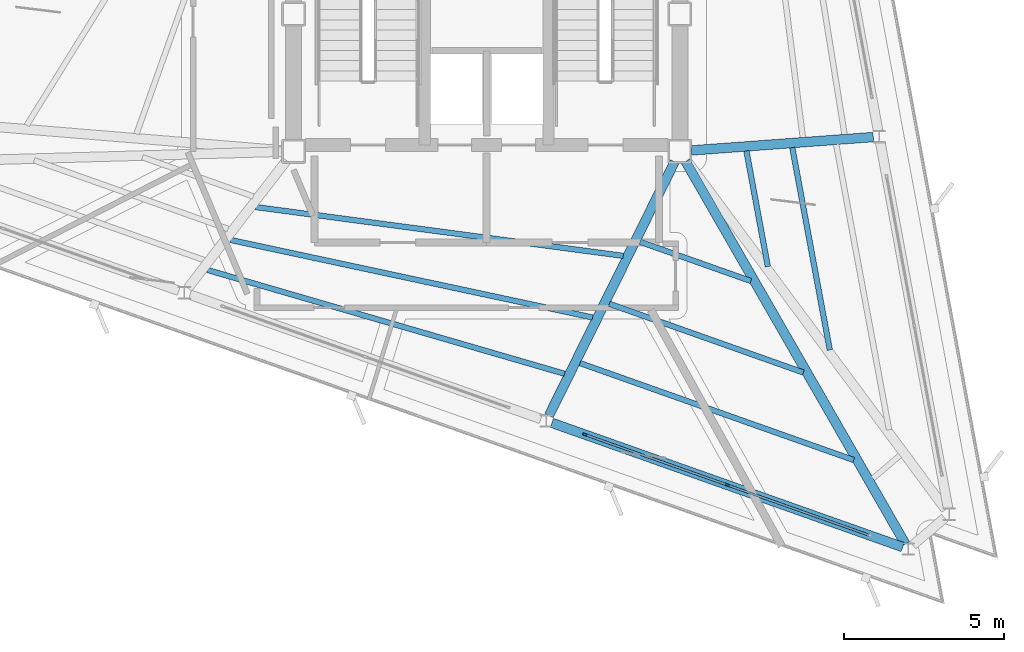
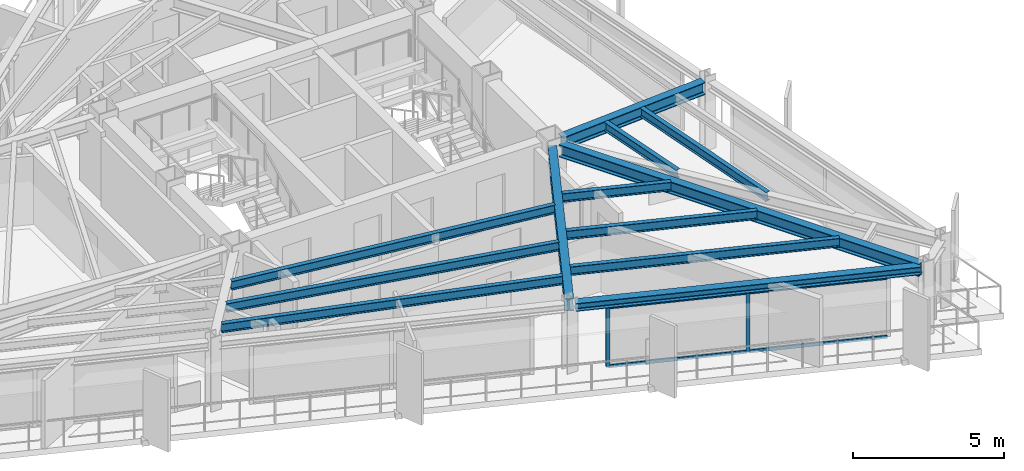
# One storey, part 3 of 14: 12 beams, 6 members, 1 element without a shape of its own.
"""IFC4 building model written with IfcOpenShell, lengths in metres."""

import ifcopenshell
import ifcopenshell.guid

model = None  # the IFC model being written
_history = None  # IfcOwnerHistory: only IFC2X3 demands one
_inside = {}  # id of a spatial element -> (the spatial element, [elements in it])
_under = {}  # id of a project, library or spatial element -> (it, [spatial elements below it])
_declared = {}  # id of a project -> (the project, [libraries it declares])
_typed = {}  # id of a type object -> (the type object, [elements of that type])
_made_of = {}  # id of a material, layer set ... -> (it, [elements and type objects made of it])


def new_model(schema):
    """Start an empty IFC model of exactly this schema.

    Asked for "IFC4X3", IfcOpenShell would pick the latest addendum, in which some entities
    have other attributes; the version numbers below select the first issue.
    IFC2X3 requires an IfcOwnerHistory on every rooted entity: one is made here for all.
    """
    global model, _history
    if schema == "IFC4X3":
        model = ifcopenshell.file(schema_version=(4, 3, 0, 0))
    else:
        model = ifcopenshell.file(schema=schema)
    _inside.clear()
    _under.clear()
    _declared.clear()
    _typed.clear()
    _made_of.clear()
    _history = None
    if model.schema == "IFC2X3":
        org = make("IfcOrganization", Name="unknown")
        user = make(
            "IfcPersonAndOrganization",
            ThePerson=make("IfcPerson", FamilyName="unknown"),
            TheOrganization=org,
        )
        app = make(
            "IfcApplication",
            ApplicationDeveloper=org,
            Version="unknown",
            ApplicationFullName="unknown",
            ApplicationIdentifier="unknown",
        )
        _history = make(
            "IfcOwnerHistory",
            OwningUser=user,
            OwningApplication=app,
            ChangeAction="ADDED",
            CreationDate=0,
        )
    return model


def make(cls, **values):
    """One entity of the class cls with the attributes given. An attribute that is None is left unset."""
    return model.create_entity(
        cls, **{name: value for name, value in values.items() if value is not None}
    )


def rooted(cls, **values):
    """An entity with a GlobalId (a new one), such as an element, a storey or a relation."""
    return make(cls, GlobalId=ifcopenshell.guid.new(), OwnerHistory=_history, **values)


def si_unit(unit_type, name, prefix=None):
    """IfcSIUnit, for example si_unit("LENGTHUNIT", "METRE", prefix="MILLI")."""
    return make("IfcSIUnit", UnitType=unit_type, Prefix=prefix, Name=name)


def assignment(units):
    """IfcUnitAssignment: the units of a project."""
    return None if units is None else make("IfcUnitAssignment", Units=units)


def point(xyz):
    """IfcCartesianPoint."""
    return None if xyz is None else make("IfcCartesianPoint", Coordinates=xyz)


def direction(xyz):
    """IfcDirection."""
    return None if xyz is None else make("IfcDirection", DirectionRatios=xyz)


def frame(location, z_axis=None, x_axis=None):
    """IfcAxis2Placement3D, a coordinate frame: its origin and axes. An axis left out is left unset."""
    return make(
        "IfcAxis2Placement3D",
        Location=point(location),
        Axis=direction(z_axis),
        RefDirection=direction(x_axis),
    )


def frame_2d(location, x_axis=None):
    """IfcAxis2Placement2D, a coordinate frame in the plane: its origin and x axis."""
    return make(
        "IfcAxis2Placement2D", Location=point(location), RefDirection=direction(x_axis)
    )


def origin():
    """The frame at (0, 0, 0) with its axes left unset."""
    return frame((0.0, 0.0, 0.0))


def origin_2d():
    """The frame at (0, 0) in the plane with its x axis left unset."""
    return frame_2d((0.0, 0.0))


def place(relative_to, where):
    """IfcLocalPlacement: puts the frame where relative to a parent placement (None: the world)."""
    return make(
        "IfcLocalPlacement", PlacementRelTo=relative_to, RelativePlacement=where
    )


def context(
    kind, dimensions, precision=None, world=None, true_north=None, identifier=None
):
    """IfcGeometricRepresentationContext, for example the 3D "Model" context."""
    return make(
        "IfcGeometricRepresentationContext",
        ContextIdentifier=identifier,
        ContextType=kind,
        CoordinateSpaceDimension=dimensions,
        Precision=precision,
        WorldCoordinateSystem=world,
        TrueNorth=true_north,
    )


def subcontext(parent, identifier, kind, view, scale=None):
    """IfcGeometricRepresentationSubContext, for example "Body" below "Model"."""
    return make(
        "IfcGeometricRepresentationSubContext",
        ContextIdentifier=identifier,
        ContextType=kind,
        ParentContext=parent,
        TargetScale=scale,
        TargetView=view,
    )


def project(units=None, contexts=None):
    """IfcProject with its units and contexts."""
    return rooted(
        "IfcProject",
        Name="project",
        RepresentationContexts=contexts,
        UnitsInContext=assignment(units),
    )


def spatial(cls, under=None, at=None, **own):
    """A site, building, storey or space (cls), placed at a placement, below another one or the project."""
    s = rooted(cls, ObjectPlacement=at, **own)
    if under is not None:
        _under.setdefault(under.id(), (under, []))[1].append(s)
    return s


def profile(cls, at=None, kind="AREA", **sizes):
    """A parametric profile (cls). Its sizes go by their IFC names, for example OverallWidth=200.0."""
    return make(cls, ProfileType=kind, Position=at, **sizes)


def rectangle(**sizes):
    """IfcRectangleProfileDef."""
    return profile("IfcRectangleProfileDef", **sizes)


def i_section(**sizes):
    """IfcIShapeProfileDef."""
    return profile("IfcIShapeProfileDef", **sizes)


def extrude(swept, where, along, depth):
    """IfcExtrudedAreaSolid: the profile swept, set in the frame where, extruded along a direction by depth."""
    return make(
        "IfcExtrudedAreaSolid",
        SweptArea=swept,
        Position=where,
        ExtrudedDirection=direction(along),
        Depth=depth,
    )


def shape(context_of_items, identifier, shape_type, items):
    """IfcShapeRepresentation: the items that make up one representation, for example the "Body"."""
    return make(
        "IfcShapeRepresentation",
        ContextOfItems=context_of_items,
        RepresentationIdentifier=identifier,
        RepresentationType=shape_type,
        Items=items,
    )


def material(Name=None, Category=None):
    """IfcMaterial."""
    return make("IfcMaterial", Name=Name, Category=Category)


def layer(
    of_material, thickness, ventilated=None, Name=None, Category=None, Priority=None
):
    """IfcMaterialLayer: one layer of a wall or slab, of a material (None: an air gap)."""
    return make(
        "IfcMaterialLayer",
        Material=of_material,
        LayerThickness=thickness,
        IsVentilated=ventilated,
        Name=Name,
        Category=Category,
        Priority=Priority,
    )


def layer_set(layers, Name=None):
    """IfcMaterialLayerSet."""
    return make("IfcMaterialLayerSet", MaterialLayers=layers, LayerSetName=Name)


def material_profile(
    of_material, cross_section, Name=None, Category=None, Priority=None
):
    """IfcMaterialProfile: a cross section and its material."""
    return make(
        "IfcMaterialProfile",
        Name=Name,
        Material=of_material,
        Profile=cross_section,
        Priority=Priority,
        Category=Category,
    )


def profile_set(profiles, Name=None, composite=None):
    """IfcMaterialProfileSet."""
    return make(
        "IfcMaterialProfileSet",
        Name=Name,
        MaterialProfiles=profiles,
        CompositeProfile=composite,
    )


def made_of(thing, what):
    """Note that an element or type object is made of a material, layer set ...; save() writes the relation."""
    if what is not None:
        _made_of.setdefault(what.id(), (what, []))[1].append(thing)
    return thing


def type_object(cls, material=None, **own):
    """A type object (cls), such as IfcWallType, which elements share."""
    return made_of(rooted(cls, **own), material)


def element(
    cls,
    number,
    at=None,
    inside=None,
    cuts=None,
    type_object=None,
    material=None,
    context=None,
    identifier="Body",
    shape_type=None,
    held_by="IfcProductDefinitionShape",
    body=None,
    shapes=None,
    **own,
):
    """One element of the class cls, such as IfcWall. Its Tag is "e" and its number.

    at: its placement. inside: the storey or other place that contains it. cuts: it is an
    opening in that element (IfcRelVoidsElement). A single representation is given by context,
    identifier, shape_type and body (its items); several are given by shapes. held_by: the class
    of the entity that holds the representations. save() writes the other relations.
    """
    e = rooted(cls, Tag="e%d" % number, ObjectPlacement=at, **own)
    if body is not None:
        shapes = [shape(context, identifier, shape_type, body)]
    if shapes is not None:
        e.Representation = make(held_by, Representations=shapes)
    if inside is not None:
        _inside.setdefault(inside.id(), (inside, []))[1].append(e)
    if cuts is not None:
        rooted(
            "IfcRelVoidsElement", RelatingBuildingElement=cuts, RelatedOpeningElement=e
        )
    if type_object is not None:
        _typed.setdefault(type_object.id(), (type_object, []))[1].append(e)
    return made_of(e, material)


def aggregate(whole, parts):
    """IfcRelAggregates: a whole, such as a stair, and the parts it consists of."""
    return rooted("IfcRelAggregates", RelatingObject=whole, RelatedObjects=parts)


def save(model, path):
    """Write the relations noted so far, then the file.

    IfcRelAggregates (storeys below a building ...), IfcRelContainedInSpatialStructure (elements
    in a storey), IfcRelDefinesByType, IfcRelAssociatesMaterial and IfcRelDeclares: one each for
    every whole, place, type object, material and project.
    """
    for whole, parts in _under.values():
        aggregate(whole, parts)
    for where, things in _inside.values():
        rooted(
            "IfcRelContainedInSpatialStructure",
            RelatedElements=things,
            RelatingStructure=where,
        )
    for kind, things in _typed.values():
        rooted("IfcRelDefinesByType", RelatedObjects=things, RelatingType=kind)
    for what, things in _made_of.values():
        rooted("IfcRelAssociatesMaterial", RelatedObjects=things, RelatingMaterial=what)
    for by, libraries in _declared.values():
        rooted("IfcRelDeclares", RelatingContext=by, RelatedDefinitions=libraries)
    model.write(path)


model = new_model("IFC4")

# Units and contexts
model_context = context("Model", 3, precision=1e-05, world=origin(), true_north=direction((0.0, 1.0)))
body_context = subcontext(model_context, "Body", "Model", "MODEL_VIEW")
ifc_project = project(units=[si_unit("LENGTHUNIT", "METRE"), si_unit("AREAUNIT", "SQUARE_METRE"), si_unit("VOLUMEUNIT", "CUBIC_METRE"), si_unit("PLANEANGLEUNIT", "RADIAN"), si_unit("MASSUNIT", "GRAM", prefix="KILO")], contexts=[model_context])

# Site, building, storey
site_placement = place(None, origin())
site = spatial("IfcSite", under=ifc_project, at=site_placement, CompositionType="ELEMENT")
building_placement = place(site_placement, origin())
building = spatial("IfcBuilding", under=site, at=building_placement, Name="Rocaltana Carrier Exchange", CompositionType="ELEMENT")
storey_placement = place(building_placement, frame((0.0, 0.0, 181.43994140625)))
storey = spatial("IfcBuildingStorey", under=building, at=storey_placement, Name="L57", CompositionType="ELEMENT", Elevation=181.43994140625)

# Curtain wall, members
ifc_material_1 = material(Name="Aluminium 6063-T6", Category="aluminium")
ifc_layer = layer(ifc_material_1, 0.135009765625)
ifc_layer_set = layer_set([ifc_layer], Name="Aluminium 6063-T6")
curtain_wall_type = type_object("IfcCurtainWallType", Name="Upper-Mid Acoustic Curtain Wall CW-04", PredefinedType="NOTDEFINED", material=ifc_layer_set)
curtain_wall_placement = place(storey_placement, origin())
curtain_wall = element("IfcCurtainWall", 1, at=curtain_wall_placement, inside=storey, type_object=curtain_wall_type, Name="L57 CW-04 Run CW-L57-F3S3", PredefinedType="NOTDEFINED")
ifc_material_2 = material(Name="Aluminium 6063-T6", Category="aluminium")
ifc_material_profile_1 = material_profile(ifc_material_2, rectangle(XDim=0.06494140625, YDim=0.135009765625, at=origin_2d()), Name="AL-65X135")
ifc_profile_set_1 = profile_set([ifc_material_profile_1], Name="Aluminium 6063-T6")
member_type_1 = type_object("IfcMemberType", Name="CW-04 Mullion AL-65X135", PredefinedType="MULLION", material=ifc_profile_set_1)
member_1_placement = place(storey_placement, frame((3.0771484375, -13.177001953125, 0.0), z_axis=(0.0, 0.0, 1.0), x_axis=(0.333798791936, 0.942644347833, 0.0)))
member_1 = element("IfcMember", 2, at=member_1_placement, type_object=member_type_1, Name="CW-04 mullion 1", PredefinedType="MULLION", context=body_context, shape_type="SweptSolid", body=[
    extrude(rectangle(XDim=0.06494140625, YDim=0.135009765625, at=origin_2d()), origin(), (0.0, 0.0, 1.0), 2.447998046875),
])
member_2_placement = place(storey_placement, frame((7.539794921875, -14.757080078125, 0.0), z_axis=(0.0, 0.0, 1.0), x_axis=(0.333798791936, 0.942644347833, 0.0)))
member_2 = element("IfcMember", 3, at=member_2_placement, type_object=member_type_1, Name="CW-04 mullion 2", PredefinedType="MULLION", context=body_context, shape_type="SweptSolid", body=[
    extrude(rectangle(XDim=0.06494140625, YDim=0.135009765625, at=origin_2d()), origin(), (0.0, 0.0, 1.0), 2.447998046875),
])
ifc_material_3 = material(Name="Aluminium 6063-T6", Category="aluminium")
ifc_material_profile_2 = material_profile(ifc_material_3, rectangle(XDim=0.06494140625, YDim=0.135009765625, at=origin_2d()), Name="AL-65X135")
ifc_profile_set_2 = profile_set([ifc_material_profile_2], Name="Aluminium 6063-T6")
member_type_2 = type_object("IfcMemberType", Name="CW-04 Transom AL-65X135", PredefinedType="USERDEFINED", material=ifc_profile_set_2)
member_3_placement = place(storey_placement, frame((3.107666015625, -13.187744140625, 0.032470703125), z_axis=(0.942642307572, -0.333804553558, 0.0), x_axis=(0.333804553558, 0.942642307572, 0.0)))
member_3 = element("IfcMember", 4, at=member_3_placement, type_object=member_type_2, Name="CW-04 transom 1.1", ObjectType="TRANSOM", PredefinedType="USERDEFINED", context=body_context, shape_type="SweptSolid", body=[
    extrude(rectangle(XDim=0.06494140625, YDim=0.135009765625, at=origin_2d()), origin(), (0.0, 0.0, 1.0), 4.669189453125),
])
member_4_placement = place(storey_placement, frame((3.107666015625, -13.187744140625, 2.41552734375), z_axis=(0.942642307572, -0.333804553558, 0.0), x_axis=(0.333804553558, 0.942642307572, 0.0)))
member_4 = element("IfcMember", 5, at=member_4_placement, type_object=member_type_2, Name="CW-04 transom 1.2", ObjectType="TRANSOM", PredefinedType="USERDEFINED", context=body_context, shape_type="SweptSolid", body=[
    extrude(rectangle(XDim=0.06494140625, YDim=0.135009765625, at=origin_2d()), origin(), (0.0, 0.0, 1.0), 4.669189453125),
])
member_5_placement = place(storey_placement, frame((7.5703125, -14.76806640625, 0.032470703125), z_axis=(0.942642307572, -0.333804553558, 0.0), x_axis=(0.333804553558, 0.942642307572, 0.0)))
member_5 = element("IfcMember", 6, at=member_5_placement, type_object=member_type_2, Name="CW-04 transom 2.1", ObjectType="TRANSOM", PredefinedType="USERDEFINED", context=body_context, shape_type="SweptSolid", body=[
    extrude(rectangle(XDim=0.06494140625, YDim=0.135009765625, at=origin_2d()), origin(), (0.0, 0.0, 1.0), 4.669189453125),
])
member_6_placement = place(storey_placement, frame((7.5703125, -14.76806640625, 2.41552734375), z_axis=(0.942642307572, -0.333804553558, 0.0), x_axis=(0.333804553558, 0.942642307572, 0.0)))
member_6 = element("IfcMember", 7, at=member_6_placement, type_object=member_type_2, Name="CW-04 transom 2.2", ObjectType="TRANSOM", PredefinedType="USERDEFINED", context=body_context, shape_type="SweptSolid", body=[
    extrude(rectangle(XDim=0.06494140625, YDim=0.135009765625, at=origin_2d()), origin(), (0.0, 0.0, 1.0), 4.669189453125),
])
aggregate(curtain_wall, [member_1, member_2, member_3, member_4, member_5, member_6])

# Beams
ifc_material_4 = material(Name="Steel S355", Category="steel")
ifc_material_profile_3 = material_profile(ifc_material_4, i_section(OverallWidth=0.172119140625, OverallDepth=0.35791015625, WebThickness=0.0078125, FlangeThickness=0.01318359375, FilletRadius=0.011962890625, at=origin_2d()), Name="W14X38")
ifc_profile_set_3 = profile_set([ifc_material_profile_3], Name="Steel S355")
beam_type_1 = type_object("IfcBeamType", Name="Floor Joist W14X38", PredefinedType="JOIST", material=ifc_profile_set_3)
beam_1_placement = place(storey_placement, frame((8.809814453125, -7.910888671875, 2.619140625), z_axis=(-0.182226934398, 0.98325649979, 0.0), x_axis=(-0.98325649979, -0.182226934398, 0.0)))
element("IfcBeam", 8, at=beam_1_placement, inside=storey, type_object=beam_type_1, Name="FJ-L57-01-1", PredefinedType="JOIST", context=body_context, shape_type="SweptSolid", body=[
    extrude(i_section(OverallWidth=0.172119140625, OverallDepth=0.35791015625, WebThickness=0.0078125, FlangeThickness=0.01318359375, FilletRadius=0.011962890625, at=origin_2d()), origin(), (0.0, 0.0, 1.0), 3.68310546875),
])
beam_2_placement = place(storey_placement, frame((10.751708984375, -10.5263671875, 2.619140625), z_axis=(-0.18226814906, 0.983248860583, 0.0), x_axis=(-0.983248860583, -0.18226814906, 0.0)))
element("IfcBeam", 9, at=beam_2_placement, inside=storey, type_object=beam_type_1, Name="FJ-L57-01-2", PredefinedType="JOIST", context=body_context, shape_type="SweptSolid", body=[
    extrude(i_section(OverallWidth=0.172119140625, OverallDepth=0.35791015625, WebThickness=0.0078125, FlangeThickness=0.01318359375, FilletRadius=0.011962890625, at=origin_2d()), origin(), (0.0, 0.0, 1.0), 6.450927734375),
])
beam_3_placement = place(storey_placement, frame((-7.242919921875, -6.04736328125, 2.619140625), z_axis=(0.991307721648, -0.131563676599, 0.0), x_axis=(0.131563676599, 0.991307721648, 0.0)))
element("IfcBeam", 10, at=beam_3_placement, inside=storey, type_object=beam_type_1, Name="FJ-L57-10-1", PredefinedType="JOIST", context=body_context, shape_type="SweptSolid", body=[
    extrude(i_section(OverallWidth=0.172119140625, OverallDepth=0.35791015625, WebThickness=0.0078125, FlangeThickness=0.01318359375, FilletRadius=0.011962890625, at=origin_2d()), origin(), (0.0, 0.0, 1.0), 11.620361328125),
])
beam_4_placement = place(storey_placement, frame((-8.03271484375, -7.077880859375, 2.619140625), z_axis=(0.977833801709, -0.209382559528, 0.0), x_axis=(0.209382559528, 0.977833801709, 0.0)))
element("IfcBeam", 11, at=beam_4_placement, inside=storey, type_object=beam_type_1, Name="FJ-L57-10-2", PredefinedType="JOIST", context=body_context, shape_type="SweptSolid", body=[
    extrude(i_section(OverallWidth=0.172119140625, OverallDepth=0.35791015625, WebThickness=0.0078125, FlangeThickness=0.01318359375, FilletRadius=0.011962890625, at=origin_2d()), origin(), (0.0, 0.0, 1.0), 11.6064453125),
])
beam_5_placement = place(storey_placement, frame((-8.75439453125, -8.018798828125, 2.619140625), z_axis=(0.960273483181, -0.279060634091, 0.0), x_axis=(0.279060634091, 0.960273483181, 0.0)))
element("IfcBeam", 12, at=beam_5_placement, inside=storey, type_object=beam_type_1, Name="FJ-L57-10-3", PredefinedType="JOIST", context=body_context, shape_type="SweptSolid", body=[
    extrude(i_section(OverallWidth=0.172119140625, OverallDepth=0.35791015625, WebThickness=0.0078125, FlangeThickness=0.01318359375, FilletRadius=0.011962890625, at=origin_2d()), origin(), (0.0, 0.0, 1.0), 11.658447265625),
])
beam_6_placement = place(storey_placement, frame((4.8056640625, -7.13623046875, 2.619140625), z_axis=(0.942660683234, -0.333752657344, 0.0), x_axis=(0.333752657344, 0.942660683234, 0.0)))
element("IfcBeam", 13, at=beam_6_placement, inside=storey, type_object=beam_type_1, Name="FJ-L57-11-1", PredefinedType="JOIST", context=body_context, shape_type="SweptSolid", body=[
    extrude(i_section(OverallWidth=0.172119140625, OverallDepth=0.35791015625, WebThickness=0.0078125, FlangeThickness=0.01318359375, FilletRadius=0.011962890625, at=origin_2d()), origin(), (0.0, 0.0, 1.0), 3.68310546875),
])
beam_7_placement = place(storey_placement, frame((3.843994140625, -9.079345703125, 2.619140625), z_axis=(0.942637646352, -0.333817716246, 0.0), x_axis=(0.333817716246, 0.942637646352, 0.0)))
element("IfcBeam", 14, at=beam_7_placement, inside=storey, type_object=beam_type_1, Name="FJ-L57-11-2", PredefinedType="JOIST", context=body_context, shape_type="SweptSolid", body=[
    extrude(i_section(OverallWidth=0.172119140625, OverallDepth=0.35791015625, WebThickness=0.0078125, FlangeThickness=0.01318359375, FilletRadius=0.011962890625, at=origin_2d()), origin(), (0.0, 0.0, 1.0), 6.45068359375),
])
beam_8_placement = place(storey_placement, frame((2.923828125, -10.93798828125, 2.619140625), z_axis=(0.942637076776, -0.333819324616, 0.0), x_axis=(0.333819324616, 0.942637076776, 0.0)))
element("IfcBeam", 15, at=beam_8_placement, inside=storey, type_object=beam_type_1, Name="FJ-L57-11-3", PredefinedType="JOIST", context=body_context, shape_type="SweptSolid", body=[
    extrude(i_section(OverallWidth=0.172119140625, OverallDepth=0.35791015625, WebThickness=0.0078125, FlangeThickness=0.01318359375, FilletRadius=0.011962890625, at=origin_2d()), origin(), (0.0, 0.0, 1.0), 9.09814453125),
])
ifc_material_5 = material(Name="Steel S355", Category="steel")
ifc_material_profile_4 = material_profile(ifc_material_5, i_section(OverallWidth=0.300048828125, OverallDepth=0.320068359375, WebThickness=0.011474609375, FlangeThickness=0.0205078125, FilletRadius=0.027099609375, at=origin_2d()), Name="HEB320")
ifc_profile_set_4 = profile_set([ifc_material_profile_4], Name="Steel S355")
beam_type_2 = type_object("IfcBeamType", Name="Spandrel Edge Beam HEB320", PredefinedType="SPANDREL", material=ifc_profile_set_4)
beam_9_placement = place(storey_placement, frame((2.043212890625, -12.810791015625, 2.637939453125), z_axis=(0.942643145042, -0.333802188587, 0.0), x_axis=(0.333802188587, 0.942643145042, 0.0)))
element("IfcBeam", 16, at=beam_9_placement, inside=storey, type_object=beam_type_2, Name="SP-L57-11", PredefinedType="SPANDREL", context=body_context, shape_type="SweptSolid", body=[
    extrude(i_section(OverallWidth=0.300048828125, OverallDepth=0.320068359375, WebThickness=0.011474609375, FlangeThickness=0.0205078125, FilletRadius=0.027099609375, at=origin_2d()), origin(), (0.0, 0.0, 1.0), 11.662109375),
])
ifc_material_6 = material(Name="Steel S355", Category="steel")
ifc_material_profile_5 = material_profile(ifc_material_6, i_section(OverallWidth=0.300048828125, OverallDepth=0.5, WebThickness=0.014404296875, FlangeThickness=0.028076171875, FilletRadius=0.027099609375, at=origin_2d()), Name="HEB500")
ifc_profile_set_5 = profile_set([ifc_material_profile_5], Name="Steel S355")
beam_type_3 = type_object("IfcBeamType", Name="Upper Radial Girder HEB500", PredefinedType="BEAM", material=ifc_profile_set_5)
beam_10_placement = place(storey_placement, frame((6.416015625, -4.27294921875, 2.548095703125), z_axis=(0.997295894511, 0.07349080753, 0.0), x_axis=(-0.07349080753, 0.997295894511, 0.0)))
element("IfcBeam", 17, at=beam_10_placement, inside=storey, type_object=beam_type_3, Name="RG-L57-02", PredefinedType="BEAM", context=body_context, shape_type="SweptSolid", body=[
    extrude(i_section(OverallWidth=0.300048828125, OverallDepth=0.5, WebThickness=0.014404296875, FlangeThickness=0.028076171875, FilletRadius=0.027099609375, at=origin_2d()), origin(), (0.0, 0.0, 1.0), 5.7138671875),
])
beam_11_placement = place(storey_placement, frame((5.88720703125, -4.62890625, 2.548095703125), z_axis=(-0.443600626988, -0.896224572156, 0.0), x_axis=(0.896224572156, -0.443600626988, 0.0)))
element("IfcBeam", 18, at=beam_11_placement, inside=storey, type_object=beam_type_3, Name="RG-L57-11", PredefinedType="BEAM", context=body_context, shape_type="SweptSolid", body=[
    extrude(i_section(OverallWidth=0.300048828125, OverallDepth=0.5, WebThickness=0.014404296875, FlangeThickness=0.028076171875, FilletRadius=0.027099609375, at=origin_2d()), origin(), (0.0, 0.0, 1.0), 8.87451171875),
])
beam_12_placement = place(storey_placement, frame((6.23291015625, -4.6181640625, 2.548095703125), z_axis=(0.498128981012, -0.867102945604, 0.0), x_axis=(0.867102945604, 0.498128981012, 0.0)))
element("IfcBeam", 19, at=beam_12_placement, inside=storey, type_object=beam_type_3, Name="RG-L57-12", PredefinedType="BEAM", context=body_context, shape_type="SweptSolid", body=[
    extrude(i_section(OverallWidth=0.300048828125, OverallDepth=0.5, WebThickness=0.014404296875, FlangeThickness=0.028076171875, FilletRadius=0.027099609375, at=origin_2d()), origin(), (0.0, 0.0, 1.0), 13.82373046875),
])

save(model, "model.ifc")
